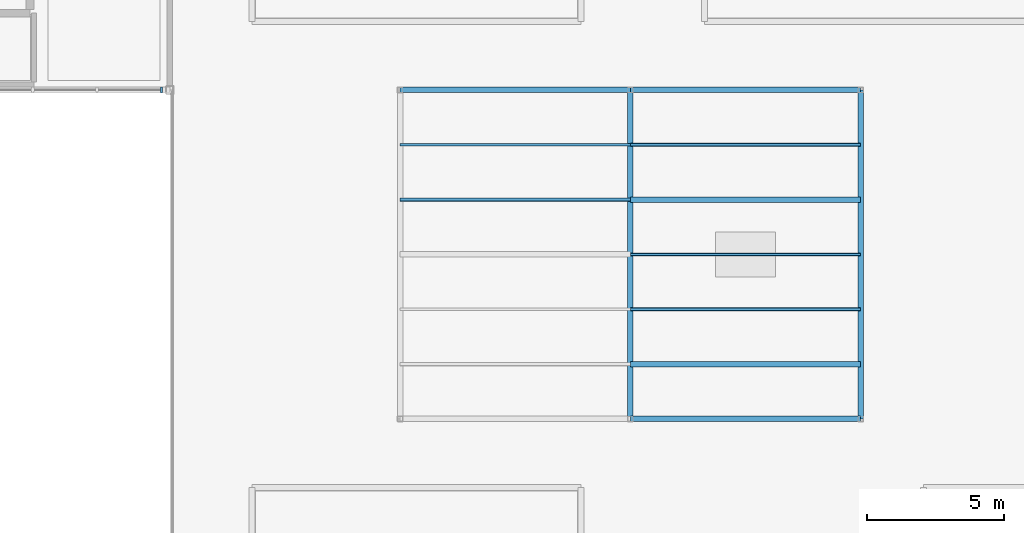
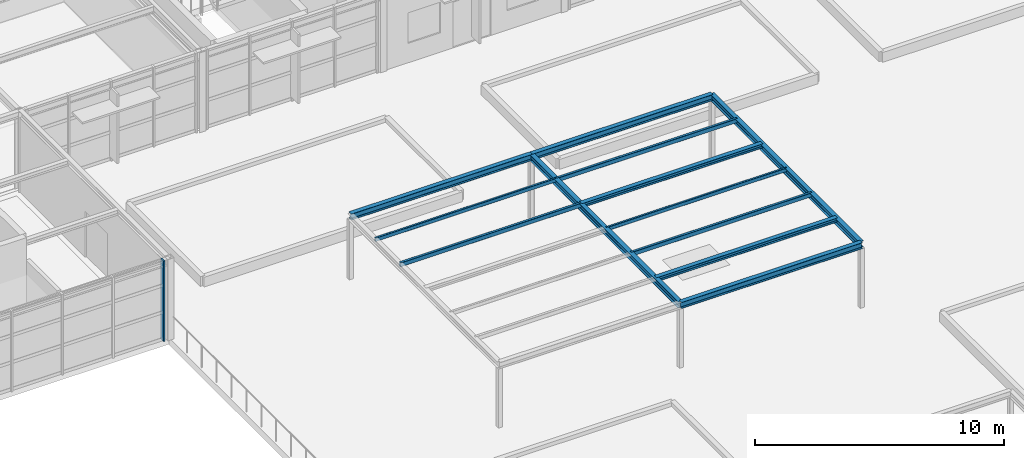
# One storey, part 19 of 49: 8 members, 5 beams, 1 element without a shape of its own.
"""IFC4 building model written with IfcOpenShell, lengths in metres."""

from ifc_helpers import new_model, si_unit, direction, frame, origin, origin_2d, place, context, subcontext, project, spatial, rectangle, hollow_rectangle, i_section, extrude, material, layer, layer_set, material_profile, profile_set, type_object, element, aggregate, save


model = new_model("IFC4")

# Units and contexts
model_context = context("Model", 3, precision=1e-05, world=origin(), true_north=direction((0.0, 1.0)))
body_context = subcontext(model_context, "Body", "Model", "MODEL_VIEW")
ifc_project = project(units=[si_unit("LENGTHUNIT", "METRE"), si_unit("AREAUNIT", "SQUARE_METRE"), si_unit("VOLUMEUNIT", "CUBIC_METRE"), si_unit("PLANEANGLEUNIT", "RADIAN"), si_unit("MASSUNIT", "GRAM", prefix="KILO")], contexts=[model_context])

# Site, building, storey
site_placement = place(None, origin())
site = spatial("IfcSite", under=ifc_project, at=site_placement, CompositionType="ELEMENT")
building_placement = place(site_placement, origin())
building = spatial("IfcBuilding", under=site, at=building_placement, Name="Sitalva Quay Ferry Terminal", CompositionType="ELEMENT")
storey_placement = place(building_placement, frame((0.0, 0.0, 10.199951171875)))
storey = spatial("IfcBuildingStorey", under=building, at=storey_placement, Name="L03", CompositionType="ELEMENT", Elevation=10.199951171875)

# Beams
ifc_material_1 = material(Name="Structural Steel S355JR", Category="steel")
ifc_material_profile_1 = material_profile(ifc_material_1, i_section(OverallWidth=0.202880859375, OverallDepth=0.302978515625, WebThickness=0.007568359375, FlangeThickness=0.01318359375, FilletRadius=0.011962890625, at=origin_2d()), Name="W310x60")
ifc_profile_set_1 = profile_set([ifc_material_profile_1], Name="Structural Steel S355JR")
beam_type = type_object("IfcBeamType", Name="Beam_W310x60", PredefinedType="BEAM", material=ifc_profile_set_1)
beam_1_placement = place(storey_placement, frame((100.800048828125, 54.0, 3.048583984375), z_axis=(1.0, 0.0, 0.0), x_axis=(0.0, 1.0, 0.0)))
element("IfcBeam", 1, at=beam_1_placement, inside=storey, type_object=beam_type, Name="L03 Primary X girder 1305", PredefinedType="BEAM", context=body_context, shape_type="SweptSolid", body=[
    extrude(i_section(OverallWidth=0.202880859375, OverallDepth=0.302978515625, WebThickness=0.007568359375, FlangeThickness=0.01318359375, FilletRadius=0.011962890625, at=origin_2d()), origin(), (0.0, 0.0, 1.0), 8.39990234375),
])
beam_2_placement = place(storey_placement, frame((92.39990234375, 66.0, 3.048583984375), z_axis=(1.0, 0.0, 0.0), x_axis=(0.0, 1.0, 0.0)))
element("IfcBeam", 2, at=beam_2_placement, inside=storey, type_object=beam_type, Name="L03 Primary X girder 1306", PredefinedType="BEAM", context=body_context, shape_type="SweptSolid", body=[
    extrude(i_section(OverallWidth=0.202880859375, OverallDepth=0.302978515625, WebThickness=0.007568359375, FlangeThickness=0.01318359375, FilletRadius=0.011962890625, at=origin_2d()), origin(), (0.0, 0.0, 1.0), 8.400146484375),
])
beam_3_placement = place(storey_placement, frame((100.800048828125, 66.0, 3.048583984375), z_axis=(1.0, 0.0, 0.0), x_axis=(0.0, 1.0, 0.0)))
element("IfcBeam", 3, at=beam_3_placement, inside=storey, type_object=beam_type, Name="L03 Primary X girder 1307", PredefinedType="BEAM", context=body_context, shape_type="SweptSolid", body=[
    extrude(i_section(OverallWidth=0.202880859375, OverallDepth=0.302978515625, WebThickness=0.007568359375, FlangeThickness=0.01318359375, FilletRadius=0.011962890625, at=origin_2d()), origin(), (0.0, 0.0, 1.0), 8.39990234375),
])
for number, where, z_axis, x_axis, name in (
    (4, (100.800048828125, 54.0, 3.048583984375), (0.0, 1.0, 0.0), (-1.0, 0.0, 0.0), "L03 Primary Y girder 1309"),
    (5, (109.199951171875, 54.0, 3.048583984375), (0.0, 1.0, 0.0), (-1.0, 0.0, 0.0), "L03 Primary Y girder 1310"),
):
    element("IfcBeam", number, at=place(storey_placement, frame(where, z_axis=z_axis, x_axis=x_axis)), inside=storey, type_object=beam_type, Name=name, PredefinedType="BEAM", context=body_context, shape_type="SweptSolid", body=[
        extrude(i_section(OverallWidth=0.202880859375, OverallDepth=0.302978515625, WebThickness=0.007568359375, FlangeThickness=0.01318359375, FilletRadius=0.011962890625, at=origin_2d()), origin(), (0.0, 0.0, 1.0), 12.0),
    ])

# Curtain wall, member
ifc_material_2 = material(Name="Anodised Aluminium & Low-E Glazing", Category="aluminium")
ifc_layer = layer(ifc_material_2, 0.159912109375)
ifc_layer_set = layer_set([ifc_layer], Name="Anodised Aluminium & Low-E Glazing")
curtain_wall_type = type_object("IfcCurtainWallType", Name="CW_Office_Unitised", PredefinedType="USERDEFINED", material=ifc_layer_set)
curtain_wall_placement = place(storey_placement, origin())
curtain_wall = element("IfcCurtainWall", 6, at=curtain_wall_placement, inside=storey, type_object=curtain_wall_type, Name="L03 north spine south glazing (CW-L03-090)", ObjectType="CURTAIN_WALL", PredefinedType="USERDEFINED")
ifc_material_3 = material(Name="Anodised Aluminium 6063-T6", Category="aluminium")
ifc_material_profile_2 = material_profile(ifc_material_3, rectangle(XDim=0.074951171875, YDim=0.219970703125, at=origin_2d()), Name="ALU75x220")
ifc_profile_set_2 = profile_set([ifc_material_profile_2], Name="Anodised Aluminium 6063-T6")
member_type_1 = type_object("IfcMemberType", Name="Mullion_Alu_75x160", PredefinedType="MULLION", material=ifc_profile_set_2)
member_1_placement = place(storey_placement, frame((83.699951171875, 66.0, 0.0), z_axis=(0.0, 0.0, 1.0), x_axis=(1.0, 0.0, 0.0)))
member_1 = element("IfcMember", 7, at=member_1_placement, type_object=member_type_1, Name="CW-L03-090-M4", PredefinedType="MULLION", context=body_context, shape_type="SweptSolid", body=[
    extrude(rectangle(XDim=0.074951171875, YDim=0.219970703125, at=origin_2d()), origin(), (0.0, 0.0, 1.0), 3.9599609375),
])
aggregate(curtain_wall, [member_1])

# Members
ifc_material_4 = material(Name="Structural Steel S355JR", Category="steel")
ifc_material_profile_3 = material_profile(ifc_material_4, hollow_rectangle(XDim=0.10009765625, YDim=0.179931640625, WallThickness=0.008056640625, InnerFilletRadius=0.008056640625, OuterFilletRadius=0.01611328125, at=origin_2d()), Name="RHS180x100x8")
ifc_profile_set_3 = profile_set([ifc_material_profile_3], Name="Structural Steel S355JR")
member_type_2 = type_object("IfcMemberType", Name="Purlin_RHS180x100", PredefinedType="PURLIN", material=ifc_profile_set_3)
member_2_placement = place(storey_placement, frame((92.39990234375, 64.0, 3.110107421875), z_axis=(1.0, 0.0, 0.0), x_axis=(0.0, 1.0, 0.0)))
element("IfcMember", 8, at=member_2_placement, inside=storey, type_object=member_type_2, Name="Roof garden shade pergola trellis 015", PredefinedType="PURLIN", context=body_context, shape_type="SweptSolid", body=[
    extrude(hollow_rectangle(XDim=0.10009765625, YDim=0.179931640625, WallThickness=0.008056640625, InnerFilletRadius=0.008056640625, OuterFilletRadius=0.01611328125, at=origin_2d()), origin(), (0.0, 0.0, 1.0), 8.400146484375),
])
member_3_placement = place(storey_placement, frame((100.800048828125, 60.0, 3.110107421875), z_axis=(1.0, 0.0, 0.0), x_axis=(0.0, 1.0, 0.0)))
element("IfcMember", 9, at=member_3_placement, inside=storey, type_object=member_type_2, Name="Roof garden shade pergola trellis 018", PredefinedType="PURLIN", context=body_context, shape_type="SweptSolid", body=[
    extrude(hollow_rectangle(XDim=0.10009765625, YDim=0.179931640625, WallThickness=0.008056640625, InnerFilletRadius=0.008056640625, OuterFilletRadius=0.01611328125, at=origin_2d()), origin(), (0.0, 0.0, 1.0), 8.39990234375),
])
ifc_material_5 = material(Name="Structural Steel S355JR", Category="steel")
ifc_material_profile_4 = material_profile(ifc_material_5, hollow_rectangle(XDim=0.1201171875, YDim=0.199951171875, WallThickness=0.008056640625, InnerFilletRadius=0.008056640625, OuterFilletRadius=0.01611328125, at=origin_2d()), Name="RHS200x120x8")
ifc_profile_set_4 = profile_set([ifc_material_profile_4], Name="Structural Steel S355JR")
member_type_3 = type_object("IfcMemberType", Name="Purlin_RHS200x120", PredefinedType="PURLIN", material=ifc_profile_set_4)
member_4_placement = place(storey_placement, frame((92.39990234375, 62.0, 3.10009765625), z_axis=(1.0, 0.0, 0.0), x_axis=(0.0, 1.0, 0.0)))
element("IfcMember", 10, at=member_4_placement, inside=storey, type_object=member_type_3, Name="Roof garden shade pergola trellis 014", PredefinedType="PURLIN", context=body_context, shape_type="SweptSolid", body=[
    extrude(hollow_rectangle(XDim=0.1201171875, YDim=0.199951171875, WallThickness=0.008056640625, InnerFilletRadius=0.008056640625, OuterFilletRadius=0.01611328125, at=origin_2d()), origin(), (0.0, 0.0, 1.0), 8.400146484375),
])
for number, where, z_axis, x_axis, name in (
    (11, (100.800048828125, 58.0, 3.10009765625), (1.0, 0.0, 0.0), (0.0, 1.0, 0.0), "Roof garden shade pergola trellis 017"),
    (12, (100.800048828125, 64.0, 3.10009765625), (1.0, 0.0, 0.0), (0.0, 1.0, 0.0), "Roof garden shade pergola trellis 020"),
):
    element("IfcMember", number, at=place(storey_placement, frame(where, z_axis=z_axis, x_axis=x_axis)), inside=storey, type_object=member_type_3, Name=name, PredefinedType="PURLIN", context=body_context, shape_type="SweptSolid", body=[
        extrude(hollow_rectangle(XDim=0.1201171875, YDim=0.199951171875, WallThickness=0.008056640625, InnerFilletRadius=0.008056640625, OuterFilletRadius=0.01611328125, at=origin_2d()), origin(), (0.0, 0.0, 1.0), 8.39990234375),
    ])
ifc_material_6 = material(Name="Structural Steel S355JR", Category="steel")
ifc_material_profile_5 = material_profile(ifc_material_6, i_section(OverallWidth=0.202880859375, OverallDepth=0.202880859375, WebThickness=0.007080078125, FlangeThickness=0.010986328125, FilletRadius=0.010009765625, at=origin_2d()), Name="W200x46")
ifc_profile_set_5 = profile_set([ifc_material_profile_5], Name="Structural Steel S355JR")
member_type_4 = type_object("IfcMemberType", Name="Purlin_W200x46", PredefinedType="PURLIN", material=ifc_profile_set_5)
for number, where, z_axis, x_axis, name in (
    (13, (100.800048828125, 56.0, 3.0986328125), (1.0, 0.0, 0.0), (0.0, 1.0, 0.0), "Roof garden shade pergola trellis 016"),
    (14, (100.800048828125, 62.0, 3.0986328125), (1.0, 0.0, 0.0), (0.0, 1.0, 0.0), "Roof garden shade pergola trellis 019"),
):
    element("IfcMember", number, at=place(storey_placement, frame(where, z_axis=z_axis, x_axis=x_axis)), inside=storey, type_object=member_type_4, Name=name, PredefinedType="PURLIN", context=body_context, shape_type="SweptSolid", body=[
        extrude(i_section(OverallWidth=0.202880859375, OverallDepth=0.202880859375, WebThickness=0.007080078125, FlangeThickness=0.010986328125, FilletRadius=0.010009765625, at=origin_2d()), origin(), (0.0, 0.0, 1.0), 8.39990234375),
    ])

save(model, "model.ifc")
